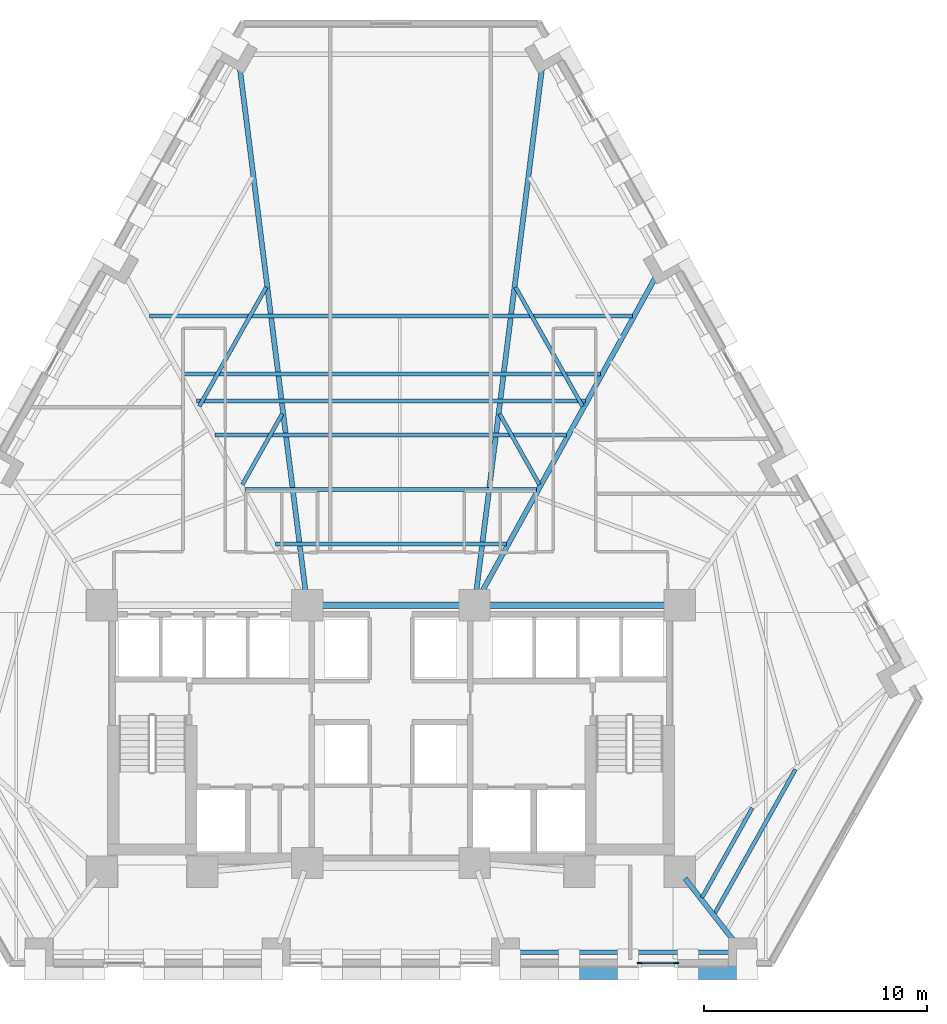
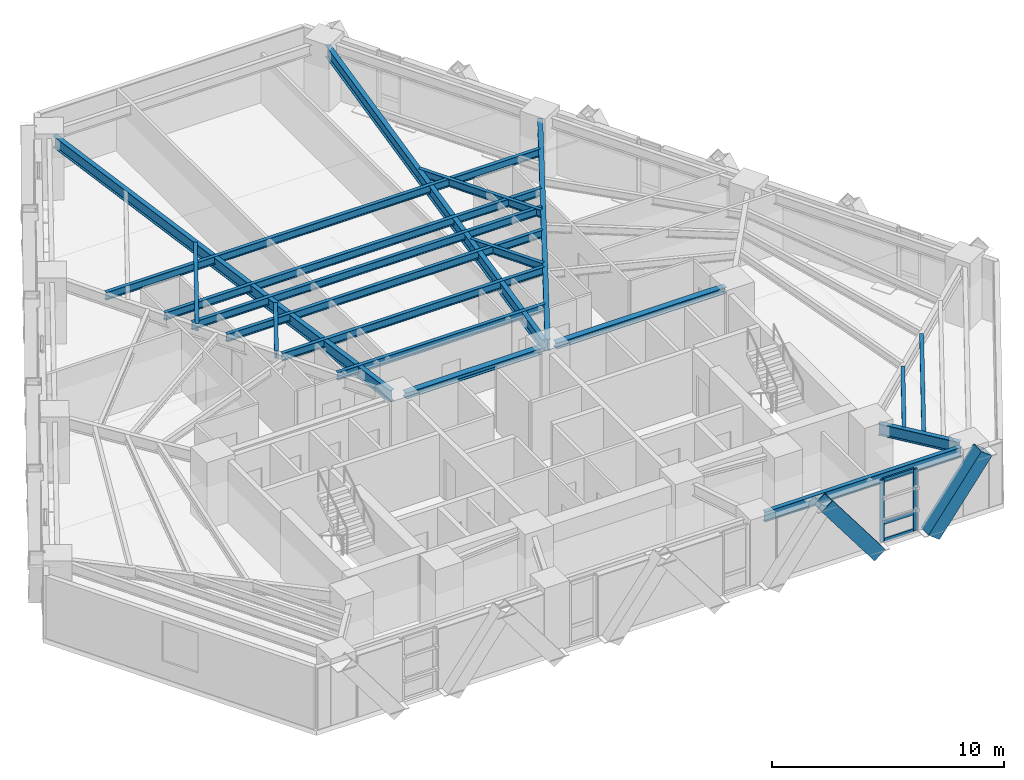
# One storey, part 3 of 13: 19 beams, 7 members, 1 element without a shape of its own.
"""IFC4 building model written with IfcOpenShell, lengths in metres."""

from ifc_helpers import new_model, si_unit, direction, frame, origin, origin_2d, place, context, subcontext, project, spatial, rectangle, hollow_rectangle, i_section, extrude, material, material_profile, profile_set, type_object, element, aggregate, save


model = new_model("IFC4")

# Units and contexts
model_context = context("Model", 3, precision=1e-05, world=origin(), true_north=direction((0.0, 1.0)))
body_context = subcontext(model_context, "Body", "Model", "MODEL_VIEW")
ifc_project = project(units=[si_unit("LENGTHUNIT", "METRE"), si_unit("AREAUNIT", "SQUARE_METRE"), si_unit("VOLUMEUNIT", "CUBIC_METRE"), si_unit("PLANEANGLEUNIT", "RADIAN"), si_unit("MASSUNIT", "GRAM", prefix="KILO")], contexts=[model_context])

# Site, building, storey
site_placement = place(None, origin())
site = spatial("IfcSite", under=ifc_project, at=site_placement, CompositionType="ELEMENT")
building_placement = place(site_placement, origin())
building = spatial("IfcBuilding", under=site, at=building_placement, Name="Quenlor Broadcast Tower", CompositionType="ELEMENT")
storey_placement = place(building_placement, frame((0.0, 0.0, 66.10009765625)))
storey = spatial("IfcBuildingStorey", under=building, at=storey_placement, Name="L17", CompositionType="ELEMENT", Elevation=66.10009765625)

# Curtain wall, members
ifc_material_1 = material(Name="Architectural Terracotta and Low-E Glazing", Category="masonry")
curtain_wall_type = type_object("IfcCurtainWallType", Name="Unitised Terracotta Curtain Wall System Z1", PredefinedType="NOTDEFINED", material=ifc_material_1)
curtain_wall_placement = place(storey_placement, origin())
curtain_wall = element("IfcCurtainWall", 1, at=curtain_wall_placement, inside=storey, type_object=curtain_wall_type, Name="L17 Curtain Wall CW1 (L17-SA-G1)", PredefinedType="NOTDEFINED")
ifc_material_2 = material(Name="Aluminium 6063-T6", Category="aluminium")
ifc_material_profile_1 = material_profile(ifc_material_2, rectangle(XDim=0.080078125, YDim=0.219970703125, at=origin_2d()))
ifc_profile_set_1 = profile_set([ifc_material_profile_1], Name="Aluminium 6063-T6 MULL80x220")
member_type_1 = type_object("IfcMemberType", Name="CW1 Aluminium Mullion MULL_CW1", PredefinedType="MULLION", material=ifc_profile_set_1)
member_1_placement = place(storey_placement, frame((12.794921875, -20.840087890625, 0.0), z_axis=(0.0, 0.0, 1.0), x_axis=(0.0, -1.0, 0.0)))
member_1 = element("IfcMember", 2, at=member_1_placement, type_object=member_type_1, Name="CW1 mullion 1", PredefinedType="MULLION", context=body_context, shape_type="SweptSolid", body=[
    extrude(rectangle(XDim=0.080078125, YDim=0.219970703125, at=origin_2d()), origin(), (0.0, 0.0, 1.0), 3.25),
])
member_2_placement = place(storey_placement, frame((11.146484375, -20.840087890625, 0.0), z_axis=(0.0, 0.0, 1.0), x_axis=(0.0, -1.0, 0.0)))
member_2 = element("IfcMember", 3, at=member_2_placement, type_object=member_type_1, Name="CW1 mullion 2", PredefinedType="MULLION", context=body_context, shape_type="SweptSolid", body=[
    extrude(rectangle(XDim=0.080078125, YDim=0.219970703125, at=origin_2d()), origin(), (0.0, 0.0, 1.0), 3.25),
])
ifc_material_3 = material(Name="Aluminium 6063-T6", Category="aluminium")
ifc_material_profile_2 = material_profile(ifc_material_3, rectangle(XDim=0.080078125, YDim=0.179931640625, at=origin_2d()))
ifc_profile_set_2 = profile_set([ifc_material_profile_2], Name="Aluminium 6063-T6 TRAN80x180")
member_type_2 = type_object("IfcMemberType", Name="CW1 Aluminium Transom TRAN_CW1", PredefinedType="USERDEFINED", material=ifc_profile_set_2)
member_3_placement = place(storey_placement, frame((12.7548828125, -20.840087890625, 0.039794921875), z_axis=(-1.0, 0.0, 0.0), x_axis=(0.0, -1.0, 0.0)))
member_3 = element("IfcMember", 4, at=member_3_placement, type_object=member_type_2, Name="CW1 transom 1.1", ObjectType="TRANSOM", PredefinedType="USERDEFINED", context=body_context, shape_type="SweptSolid", body=[
    extrude(rectangle(XDim=0.080078125, YDim=0.179931640625, at=origin_2d()), origin(), (0.0, 0.0, 1.0), 1.568359375),
])
member_4_placement = place(storey_placement, frame((12.7548828125, -20.840087890625, 0.949951171875), z_axis=(-1.0, 0.0, 0.0), x_axis=(0.0, -1.0, 0.0)))
member_4 = element("IfcMember", 5, at=member_4_placement, type_object=member_type_2, Name="CW1 transom 1.2", ObjectType="TRANSOM", PredefinedType="USERDEFINED", context=body_context, shape_type="SweptSolid", body=[
    extrude(rectangle(XDim=0.080078125, YDim=0.179931640625, at=origin_2d()), origin(), (0.0, 0.0, 1.0), 1.568359375),
])
member_5_placement = place(storey_placement, frame((12.7548828125, -20.840087890625, 3.2099609375), z_axis=(-1.0, 0.0, 0.0), x_axis=(0.0, -1.0, 0.0)))
member_5 = element("IfcMember", 6, at=member_5_placement, type_object=member_type_2, Name="CW1 transom 1.3", ObjectType="TRANSOM", PredefinedType="USERDEFINED", context=body_context, shape_type="SweptSolid", body=[
    extrude(rectangle(XDim=0.080078125, YDim=0.179931640625, at=origin_2d()), origin(), (0.0, 0.0, 1.0), 1.568359375),
])
aggregate(curtain_wall, [member_1, member_2, member_3, member_4, member_5])

# Beams
ifc_material_4 = material(Name="Steel S355", Category="steel")
ifc_material_profile_3 = material_profile(ifc_material_4, i_section(OverallWidth=0.304931640625, OverallDepth=0.30810546875, WebThickness=0.010009765625, FlangeThickness=0.015380859375, FilletRadius=0.0166015625, at=origin_2d()))
ifc_profile_set_3 = profile_set([ifc_material_profile_3], Name="Steel S355 310UC96.8")
beam_type_1 = type_object("IfcBeamType", Name="Core Header Beam Steel S355 310UC96.8", PredefinedType="BEAM", material=ifc_profile_set_3)
beam_1_placement = place(storey_placement, frame((-3.389892578125, -4.800048828125, 3.095947265625), z_axis=(1.0, 0.0, 0.0), x_axis=(0.0, 1.0, 0.0)))
element("IfcBeam", 7, at=beam_1_placement, inside=storey, type_object=beam_type_1, Name="L17 Core Header Beam 2", PredefinedType="BEAM", context=body_context, shape_type="SweptSolid", body=[
    extrude(i_section(OverallWidth=0.304931640625, OverallDepth=0.30810546875, WebThickness=0.010009765625, FlangeThickness=0.015380859375, FilletRadius=0.0166015625, at=origin_2d()), origin(), (0.0, 0.0, 1.0), 6.77978515625),
])
ifc_material_5 = material(Name="Steel S355", Category="steel")
ifc_material_profile_4 = material_profile(ifc_material_5, i_section(OverallWidth=0.306884765625, OverallDepth=0.314697265625, WebThickness=0.011962890625, FlangeThickness=0.018798828125, FilletRadius=0.0166015625, at=origin_2d()))
ifc_profile_set_4 = profile_set([ifc_material_profile_4], Name="Steel S355 310UC118")
beam_type_2 = type_object("IfcBeamType", Name="Core Tie Beam Steel S355 310UC118", PredefinedType="BEAM", material=ifc_profile_set_4)
beam_2_placement = place(storey_placement, frame((4.110107421875, -4.800048828125, 3.092529296875), z_axis=(1.0, 0.0, 0.0), x_axis=(0.0, 1.0, 0.0)))
element("IfcBeam", 8, at=beam_2_placement, inside=storey, type_object=beam_type_2, Name="L17 Core Tie Beam 3", PredefinedType="BEAM", context=body_context, shape_type="SweptSolid", body=[
    extrude(i_section(OverallWidth=0.306884765625, OverallDepth=0.314697265625, WebThickness=0.011962890625, FlangeThickness=0.018798828125, FilletRadius=0.0166015625, at=origin_2d()), origin(), (0.0, 0.0, 1.0), 8.47998046875),
])

# Members
ifc_material_6 = material(Name="Steel S355", Category="steel")
ifc_material_profile_5 = material_profile(ifc_material_6, hollow_rectangle(XDim=0.679931640625, YDim=0.679931640625, WallThickness=0.034912109375, at=origin_2d()))
ifc_profile_set_5 = profile_set([ifc_material_profile_5], Name="Steel S355 RHS680x680x35")
member_type_3 = type_object("IfcMemberType", Name="Perimeter Diagonal Lattice Brace Z1 Steel S355 RHS680x35", PredefinedType="BRACE", material=ifc_profile_set_5)
for number, where, z_axis, x_axis, name in (
    (9, (10.624755859375, -21.235107421875, -0.1201171875), (-0.600463982679, 0.0, 0.799651802665), (0.0, -1.0, 0.0), "L17 Perimeter Diamond Lattice S-C1S"),
    (10, (13.31689453125, -21.235107421875, -0.1201171875), (0.600463982679, 0.0, 0.799651802665), (0.0, 1.0, 0.0), "L17 Perimeter Diamond Lattice S-C1B"),
):
    element("IfcMember", number, at=place(storey_placement, frame(where, z_axis=z_axis, x_axis=x_axis)), inside=storey, type_object=member_type_3, Name=name, PredefinedType="BRACE", context=body_context, shape_type="SweptSolid", body=[
        extrude(hollow_rectangle(XDim=0.679931640625, YDim=0.679931640625, WallThickness=0.034912109375, at=origin_2d()), origin(), (0.0, 0.0, 1.0), 4.376953125),
    ])

# Beams
ifc_material_7 = material(Name="Steel S355", Category="steel")
ifc_material_profile_6 = material_profile(ifc_material_7, i_section(OverallWidth=0.208984375, OverallDepth=0.532958984375, WebThickness=0.01025390625, FlangeThickness=0.015625, FilletRadius=0.013916015625, at=origin_2d()))
ifc_profile_set_6 = profile_set([ifc_material_profile_6], Name="Steel S355 530UB92.4")
beam_type_3 = type_object("IfcBeamType", Name="Perimeter Spandrel Beam Z1 Steel S355 530UB92.4", PredefinedType="SPANDREL", material=ifc_profile_set_6)
beam_3_placement = place(storey_placement, frame((5.55078125, -20.35009765625, 2.9833984375), z_axis=(1.0, 0.0, 0.0), x_axis=(0.0, 1.0, 0.0)))
element("IfcBeam", 11, at=beam_3_placement, inside=storey, type_object=beam_type_3, Name="L17 Spandrel Beam S3-S4", PredefinedType="SPANDREL", context=body_context, shape_type="SweptSolid", body=[
    extrude(i_section(OverallWidth=0.208984375, OverallDepth=0.532958984375, WebThickness=0.01025390625, FlangeThickness=0.015625, FilletRadius=0.013916015625, at=origin_2d()), origin(), (0.0, 0.0, 1.0), 9.80419921875),
])
ifc_material_8 = material(Name="Steel S355", Category="steel")
ifc_material_profile_7 = material_profile(ifc_material_8, i_section(OverallWidth=0.177978515625, OverallDepth=0.406494140625, WebThickness=0.0078125, FlangeThickness=0.0126953125, FilletRadius=0.011474609375, at=origin_2d()))
ifc_profile_set_7 = profile_set([ifc_material_profile_7], Name="Steel S355 410UB59.7")
beam_type_4 = type_object("IfcBeamType", Name="Tower Composite Joist Z1 Steel S355 410UB59.7", PredefinedType="JOIST", material=ifc_profile_set_7)
beam_4_placement = place(storey_placement, frame((-5.184326171875, -2.0546875, 3.046630859375), z_axis=(1.0, 0.0, 0.0), x_axis=(0.0, 1.0, 0.0)))
element("IfcBeam", 12, at=beam_4_placement, inside=storey, type_object=beam_type_4, Name="L17 Secondary Composite Joist 1", PredefinedType="JOIST", context=body_context, shape_type="SweptSolid", body=[
    extrude(i_section(OverallWidth=0.177978515625, OverallDepth=0.406494140625, WebThickness=0.0078125, FlangeThickness=0.0126953125, FilletRadius=0.011474609375, at=origin_2d()), origin(), (0.0, 0.0, 1.0), 10.36865234375),
])
beam_5_placement = place(storey_placement, frame((-8.718017578125, 4.3505859375, 3.046630859375), z_axis=(1.0, 0.0, 0.0), x_axis=(0.0, 1.0, 0.0)))
element("IfcBeam", 13, at=beam_5_placement, inside=storey, type_object=beam_type_4, Name="L17 Secondary Composite Joist 2", PredefinedType="JOIST", context=body_context, shape_type="SweptSolid", body=[
    extrude(i_section(OverallWidth=0.177978515625, OverallDepth=0.406494140625, WebThickness=0.0078125, FlangeThickness=0.0126953125, FilletRadius=0.011474609375, at=origin_2d()), origin(), (0.0, 0.0, 1.0), 17.43603515625),
])
beam_6_placement = place(storey_placement, frame((-6.530517578125, 0.38525390625, 3.046630859375), z_axis=(1.0, 0.0, 0.0), x_axis=(0.0, 1.0, 0.0)))
element("IfcBeam", 14, at=beam_6_placement, inside=storey, type_object=beam_type_4, Name="L17 Secondary Composite Joist 3", PredefinedType="JOIST", context=body_context, shape_type="SweptSolid", body=[
    extrude(i_section(OverallWidth=0.177978515625, OverallDepth=0.406494140625, WebThickness=0.0078125, FlangeThickness=0.0126953125, FilletRadius=0.011474609375, at=origin_2d()), origin(), (0.0, 0.0, 1.0), 13.06103515625),
])
beam_7_placement = place(storey_placement, frame((-7.87646484375, 2.825439453125, 3.046630859375), z_axis=(1.0, 0.0, 0.0), x_axis=(0.0, 1.0, 0.0)))
element("IfcBeam", 15, at=beam_7_placement, inside=storey, type_object=beam_type_4, Name="L17 Secondary Composite Joist 4", PredefinedType="JOIST", context=body_context, shape_type="SweptSolid", body=[
    extrude(i_section(OverallWidth=0.177978515625, OverallDepth=0.406494140625, WebThickness=0.0078125, FlangeThickness=0.0126953125, FilletRadius=0.011474609375, at=origin_2d()), origin(), (0.0, 0.0, 1.0), 15.7529296875),
])
beam_8_placement = place(storey_placement, frame((-9.390869140625, 5.570556640625, 3.046630859375), z_axis=(1.0, 0.0, 0.0), x_axis=(0.0, 1.0, 0.0)))
element("IfcBeam", 16, at=beam_8_placement, inside=storey, type_object=beam_type_4, Name="L17 Secondary Composite Joist 5", PredefinedType="JOIST", context=body_context, shape_type="SweptSolid", body=[
    extrude(i_section(OverallWidth=0.177978515625, OverallDepth=0.406494140625, WebThickness=0.0078125, FlangeThickness=0.0126953125, FilletRadius=0.011474609375, at=origin_2d()), origin(), (0.0, 0.0, 1.0), 18.78173828125),
])
beam_9_placement = place(storey_placement, frame((-10.821044921875, 8.163330078125, 3.046630859375), z_axis=(1.0, 0.0, 0.0), x_axis=(0.0, 1.0, 0.0)))
element("IfcBeam", 17, at=beam_9_placement, inside=storey, type_object=beam_type_4, Name="L17 Secondary Composite Joist 6", PredefinedType="JOIST", context=body_context, shape_type="SweptSolid", body=[
    extrude(i_section(OverallWidth=0.177978515625, OverallDepth=0.406494140625, WebThickness=0.0078125, FlangeThickness=0.0126953125, FilletRadius=0.011474609375, at=origin_2d()), origin(), (0.0, 0.0, 1.0), 21.64208984375),
])
beam_10_placement = place(storey_placement, frame((13.9462890625, -17.904296875, 3.046630859375), z_axis=(0.489062021968, 0.872249011848, 0.0), x_axis=(-0.872249011848, 0.489062021968, 0.0)))
element("IfcBeam", 18, at=beam_10_placement, inside=storey, type_object=beam_type_4, Name="L17 Secondary Composite Joist 22", PredefinedType="JOIST", context=body_context, shape_type="SweptSolid", body=[
    extrude(i_section(OverallWidth=0.177978515625, OverallDepth=0.406494140625, WebThickness=0.0078125, FlangeThickness=0.0126953125, FilletRadius=0.011474609375, at=origin_2d()), origin(), (0.0, 0.0, 1.0), 4.6025390625),
])
beam_11_placement = place(storey_placement, frame((14.50927734375, -18.624267578125, 3.046630859375), z_axis=(0.489088249322, 0.872234305892, 0.0), x_axis=(-0.872234305892, 0.489088249322, 0.0)))
element("IfcBeam", 19, at=beam_11_placement, inside=storey, type_object=beam_type_4, Name="L17 Secondary Composite Joist 23", PredefinedType="JOIST", context=body_context, shape_type="SweptSolid", body=[
    extrude(i_section(OverallWidth=0.177978515625, OverallDepth=0.406494140625, WebThickness=0.0078125, FlangeThickness=0.0126953125, FilletRadius=0.011474609375, at=origin_2d()), origin(), (0.0, 0.0, 1.0), 7.404296875),
])
beam_12_placement = place(storey_placement, frame((-4.87451171875, 3.7734375, 3.046630859375), z_axis=(-0.490286766726, -0.871561177642, 0.0), x_axis=(0.871561177642, -0.490286766726, 0.0)))
element("IfcBeam", 20, at=beam_12_placement, inside=storey, type_object=beam_type_4, Name="L17 Secondary Composite Joist 25", PredefinedType="JOIST", context=body_context, shape_type="SweptSolid", body=[
    extrude(i_section(OverallWidth=0.177978515625, OverallDepth=0.406494140625, WebThickness=0.0078125, FlangeThickness=0.0126953125, FilletRadius=0.011474609375, at=origin_2d()), origin(), (0.0, 0.0, 1.0), 3.632568359375),
])
beam_13_placement = place(storey_placement, frame((-5.587646484375, 9.453125, 3.046630859375), z_axis=(-0.490276380443, -0.871567020246, 0.0), x_axis=(0.871567020246, -0.490276380443, 0.0)))
element("IfcBeam", 21, at=beam_13_placement, inside=storey, type_object=beam_type_4, Name="L17 Secondary Composite Joist 26", PredefinedType="JOIST", context=body_context, shape_type="SweptSolid", body=[
    extrude(i_section(OverallWidth=0.177978515625, OverallDepth=0.406494140625, WebThickness=0.0078125, FlangeThickness=0.0126953125, FilletRadius=0.011474609375, at=origin_2d()), origin(), (0.0, 0.0, 1.0), 6.12451171875),
])
beam_14_placement = place(storey_placement, frame((4.87451171875, 3.7734375, 3.046630859375), z_axis=(0.490286766726, -0.871561177642, 0.0), x_axis=(0.871561177642, 0.490286766726, 0.0)))
element("IfcBeam", 22, at=beam_14_placement, inside=storey, type_object=beam_type_4, Name="L17 Secondary Composite Joist 28", PredefinedType="JOIST", context=body_context, shape_type="SweptSolid", body=[
    extrude(i_section(OverallWidth=0.177978515625, OverallDepth=0.406494140625, WebThickness=0.0078125, FlangeThickness=0.0126953125, FilletRadius=0.011474609375, at=origin_2d()), origin(), (0.0, 0.0, 1.0), 3.632568359375),
])
beam_15_placement = place(storey_placement, frame((5.587646484375, 9.453125, 3.046630859375), z_axis=(0.490276380443, -0.871567020246, 0.0), x_axis=(0.871567020246, 0.490276380443, 0.0)))
element("IfcBeam", 23, at=beam_15_placement, inside=storey, type_object=beam_type_4, Name="L17 Secondary Composite Joist 29", PredefinedType="JOIST", context=body_context, shape_type="SweptSolid", body=[
    extrude(i_section(OverallWidth=0.177978515625, OverallDepth=0.406494140625, WebThickness=0.0078125, FlangeThickness=0.0126953125, FilletRadius=0.011474609375, at=origin_2d()), origin(), (0.0, 0.0, 1.0), 6.12451171875),
])
ifc_material_9 = material(Name="Steel S355", Category="steel")
ifc_material_profile_8 = material_profile(ifc_material_9, i_section(OverallWidth=0.22900390625, OverallDepth=0.611572265625, WebThickness=0.011962890625, FlangeThickness=0.01953125, FilletRadius=0.013916015625, at=origin_2d()))
ifc_profile_set_8 = profile_set([ifc_material_profile_8], Name="Steel S355 610UB125")
beam_type_5 = type_object("IfcBeamType", Name="Tower Primary Floor Beam Z1 Steel S355 610UB125", PredefinedType="BEAM", material=ifc_profile_set_8)
beam_16_placement = place(storey_placement, frame((15.512451171875, -20.027099609375, 2.944091796875), z_axis=(-0.615968610193, 0.78777069713, 0.0), x_axis=(-0.78777069713, -0.615968610193, 0.0)))
element("IfcBeam", 24, at=beam_16_placement, inside=storey, type_object=beam_type_5, Name="L17 Primary Radial Beam S4", PredefinedType="BEAM", context=body_context, shape_type="SweptSolid", body=[
    extrude(i_section(OverallWidth=0.22900390625, OverallDepth=0.611572265625, WebThickness=0.011962890625, FlangeThickness=0.01953125, FilletRadius=0.013916015625, at=origin_2d()), origin(), (0.0, 0.0, 1.0), 3.780029296875),
])
beam_17_placement = place(storey_placement, frame((11.965087890625, 10.091796875, 2.944091796875), z_axis=(-0.483026493693, -0.875605736842, 0.0), x_axis=(0.875605736842, -0.483026493693, 0.0)))
element("IfcBeam", 25, at=beam_17_placement, inside=storey, type_object=beam_type_5, Name="L17 Primary Radial Beam NE3", PredefinedType="BEAM", context=body_context, shape_type="SweptSolid", body=[
    extrude(i_section(OverallWidth=0.22900390625, OverallDepth=0.611572265625, WebThickness=0.011962890625, FlangeThickness=0.01953125, FilletRadius=0.013916015625, at=origin_2d()), origin(), (0.0, 0.0, 1.0), 16.62744140625),
])
for number, where, z_axis, x_axis, name in (
    (26, (6.7998046875, 19.48779296875, 2.944091796875), (-0.124589575762, -0.99220836401, 0.0), (0.99220836401, -0.124589575762, 0.0), "L17 Primary Radial Beam NE4"),
    (27, (-6.7998046875, 19.48779296875, 2.944091796875), (0.124589575762, -0.99220836401, 0.0), (0.99220836401, 0.124589575762, 0.0), "L17 Primary Radial Beam NW1"),
):
    element("IfcBeam", number, at=place(storey_placement, frame(where, z_axis=z_axis, x_axis=x_axis)), inside=storey, type_object=beam_type_5, Name=name, PredefinedType="BEAM", context=body_context, shape_type="SweptSolid", body=[
        extrude(i_section(OverallWidth=0.22900390625, OverallDepth=0.611572265625, WebThickness=0.011962890625, FlangeThickness=0.01953125, FilletRadius=0.013916015625, at=origin_2d()), origin(), (0.0, 0.0, 1.0), 24.0986328125),
    ])

save(model, "model.ifc")
